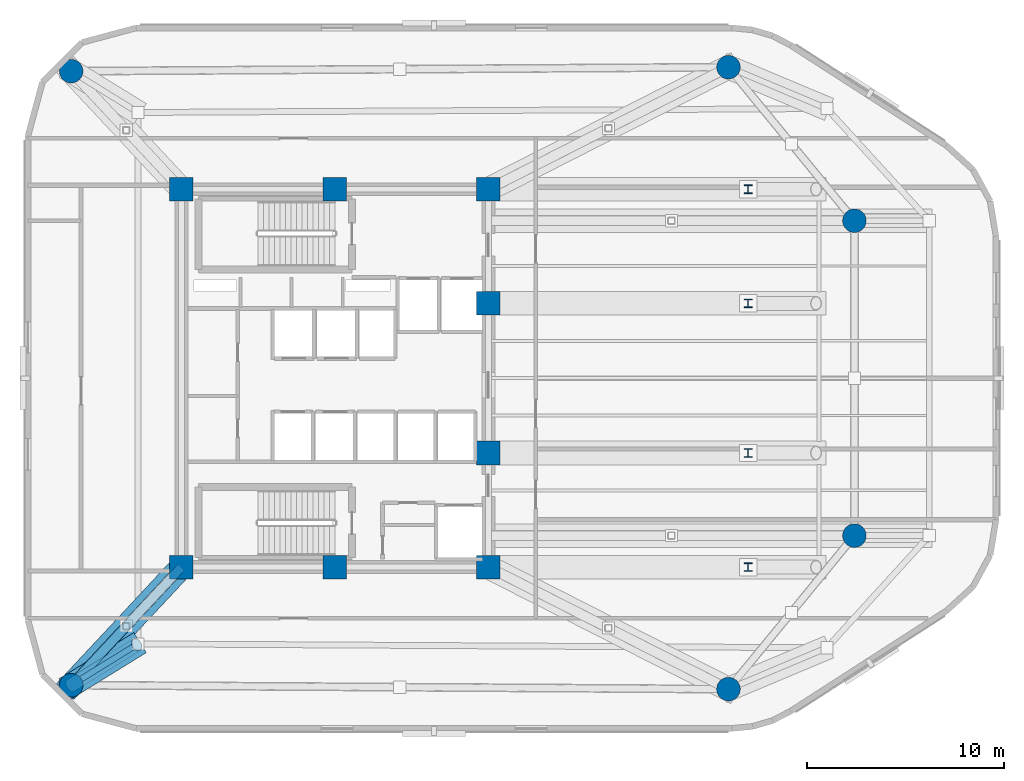
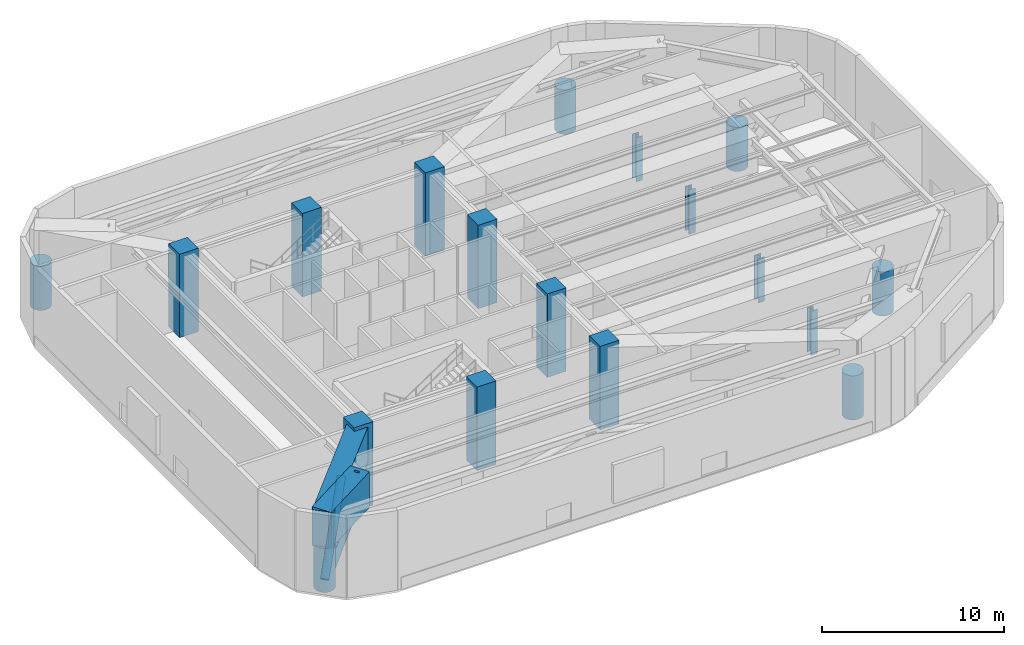
# One storey, part 1 of 9: 18 columns, 3 beams, 3 members.
"""IFC4 building model written with IfcOpenShell, lengths in metres."""

from ifc_helpers import new_model, si_unit, direction, frame, origin, origin_2d, place, context, subcontext, project, spatial, rectangle, hollow_rectangle, circle, hollow_circle, i_section, extrude, material, material_profile, profile_set, type_object, element, save


model = new_model("IFC4")

# Units and contexts
model_context = context("Model", 3, precision=1e-05, world=origin(), true_north=direction((0.0, 1.0)))
body_context = subcontext(model_context, "Body", "Model", "MODEL_VIEW")
ifc_project = project(units=[si_unit("LENGTHUNIT", "METRE"), si_unit("AREAUNIT", "SQUARE_METRE"), si_unit("VOLUMEUNIT", "CUBIC_METRE"), si_unit("PLANEANGLEUNIT", "RADIAN"), si_unit("MASSUNIT", "GRAM", prefix="KILO")], contexts=[model_context])

# Site, building, storey
site_placement = place(None, origin())
site = spatial("IfcSite", under=ifc_project, at=site_placement, CompositionType="ELEMENT")
building_placement = place(site_placement, origin())
building = spatial("IfcBuilding", under=site, at=building_placement, Name="An Khanh Terracotta Commons", CompositionType="ELEMENT")
storey_placement = place(building_placement, frame((0.0, 0.0, 190.60009765625)))
storey = spatial("IfcBuildingStorey", under=building, at=storey_placement, Name="L50", CompositionType="ELEMENT", Elevation=190.60009765625)

# Columns
ifc_material_1 = material(Name="Concrete C60/75", Category="concrete")
ifc_material_profile_1 = material_profile(ifc_material_1, circle(Radius=0.60009765625, at=origin_2d()), Name="CFST1200")
ifc_profile_set_1 = profile_set([ifc_material_profile_1], Name="Concrete C60/75")
column_type_1 = type_object("IfcColumnType", Name="COL-CFST1200", PredefinedType="COLUMN", material=ifc_profile_set_1)
for number, where, z_axis, x_axis, name in (
    (1, (16.0, 8.39990234375, 0.0), (0.0, 0.0, 1.0), (1.0, 0.0, 0.0), "L50 Perimeter CFST Mega-Column MC-01"),
    (2, (49.39990234375, 8.199951171875, 0.0), (0.0, 0.0, 1.0), (1.0, 0.0, 0.0), "L50 Perimeter CFST Mega-Column MC-02"),
    (3, (55.800048828125, 16.0, 0.0), (0.0, 0.0, 1.0), (1.0, 0.0, 0.0), "L50 Perimeter CFST Mega-Column MC-03"),
    (4, (55.800048828125, 32.0, 0.0), (0.0, 0.0, 1.0), (1.0, 0.0, 0.0), "L50 Perimeter CFST Mega-Column MC-04"),
    (5, (49.39990234375, 39.800048828125, 0.0), (0.0, 0.0, 1.0), (1.0, 0.0, 0.0), "L50 Perimeter CFST Mega-Column MC-05"),
    (6, (16.0, 39.60009765625, 0.0), (0.0, 0.0, 1.0), (1.0, 0.0, 0.0), "L50 Perimeter CFST Mega-Column MC-06"),
):
    element("IfcColumn", number, at=place(storey_placement, frame(where, z_axis=z_axis, x_axis=x_axis)), inside=storey, type_object=column_type_1, Name=name, PredefinedType="COLUMN", context=body_context, shape_type="SweptSolid", body=[
        extrude(circle(Radius=0.60009765625, at=origin_2d()), origin(), (0.0, 0.0, 1.0), 2.9599609375),
    ])
ifc_material_2 = material(Name="Steel S460ML", Category="steel")
ifc_material_profile_2 = material_profile(ifc_material_2, i_section(OverallWidth=0.406005859375, OverallDepth=0.43994140625, WebThickness=0.02392578125, FlangeThickness=0.0390625, FilletRadius=0.014892578125, at=origin_2d()), Name="HD400x314")
ifc_profile_set_2 = profile_set([ifc_material_profile_2], Name="Steel S460ML")
column_type_2 = type_object("IfcColumnType", Name="COL-HD400x314", PredefinedType="COLUMN", material=ifc_profile_set_2)
for number, where, z_axis, x_axis, name in (
    (7, (50.39990234375, 14.39990234375, 0.0), (0.0, 0.0, 1.0), (1.0, 0.0, 0.0), "L50 Interior Frame Column TC-01"),
    (8, (50.39990234375, 20.199951171875, 0.0), (0.0, 0.0, 1.0), (1.0, 0.0, 0.0), "L50 Interior Frame Column TC-02"),
    (9, (50.39990234375, 27.800048828125, 0.0), (0.0, 0.0, 1.0), (1.0, 0.0, 0.0), "L50 Interior Frame Column TC-03"),
    (10, (50.39990234375, 33.60009765625, 0.0), (0.0, 0.0, 1.0), (1.0, 0.0, 0.0), "L50 Interior Frame Column TC-04"),
):
    element("IfcColumn", number, at=place(storey_placement, frame(where, z_axis=z_axis, x_axis=x_axis)), inside=storey, type_object=column_type_2, Name=name, PredefinedType="COLUMN", context=body_context, shape_type="SweptSolid", body=[
        extrude(i_section(OverallWidth=0.406005859375, OverallDepth=0.43994140625, WebThickness=0.02392578125, FlangeThickness=0.0390625, FilletRadius=0.014892578125, at=origin_2d()), origin(), (0.0, 0.0, 1.0), 2.9599609375),
    ])
ifc_material_profile_3 = material_profile(ifc_material_1, rectangle(XDim=1.199951171875, YDim=1.199951171875, at=origin_2d()), Name="RC1200x1200")
ifc_profile_set_3 = profile_set([ifc_material_profile_3], Name="Concrete C60/75")
column_type_3 = type_object("IfcColumnType", Name="COL-RC1200x1200", PredefinedType="COLUMN", material=ifc_profile_set_3)
for number, where, z_axis, x_axis, name in (
    (11, (21.60009765625, 14.39990234375, 0.0), (0.0, 0.0, 1.0), (1.0, 0.0, 0.0), "L50 Core Boundary Column CC-01"),
    (12, (29.39990234375, 14.39990234375, 0.0), (0.0, 0.0, 1.0), (1.0, 0.0, 0.0), "L50 Core Boundary Column CC-02"),
    (13, (37.199951171875, 14.39990234375, 0.0), (0.0, 0.0, 1.0), (1.0, 0.0, 0.0), "L50 Core Boundary Column CC-03"),
    (14, (37.199951171875, 20.199951171875, 0.0), (0.0, 0.0, 1.0), (1.0, 0.0, 0.0), "L50 Core Boundary Column CC-04"),
    (15, (37.199951171875, 27.800048828125, 0.0), (0.0, 0.0, 1.0), (1.0, 0.0, 0.0), "L50 Core Boundary Column CC-05"),
    (16, (37.199951171875, 33.60009765625, 0.0), (0.0, 0.0, 1.0), (1.0, 0.0, 0.0), "L50 Core Boundary Column CC-06"),
    (17, (29.39990234375, 33.60009765625, 0.0), (0.0, 0.0, 1.0), (1.0, 0.0, 0.0), "L50 Core Boundary Column CC-07"),
    (18, (21.60009765625, 33.60009765625, 0.0), (0.0, 0.0, 1.0), (1.0, 0.0, 0.0), "L50 Core Boundary Column CC-08"),
):
    element("IfcColumn", number, at=place(storey_placement, frame(where, z_axis=z_axis, x_axis=x_axis)), inside=storey, type_object=column_type_3, Name=name, PredefinedType="COLUMN", context=body_context, shape_type="SweptSolid", body=[
        extrude(rectangle(XDim=1.199951171875, YDim=1.199951171875, at=origin_2d()), origin(), (0.0, 0.0, 1.0), 5.599853515625),
    ])

# Member
ifc_material_profile_4 = material_profile(ifc_material_2, hollow_rectangle(XDim=0.5, YDim=0.5, WallThickness=0.02490234375, InnerFilletRadius=0.02490234375, OuterFilletRadius=0.050048828125, at=origin_2d()), Name="SHS500x500x25")
ifc_profile_set_4 = profile_set([ifc_material_profile_4], Name="Steel S460ML")
member_type_1 = type_object("IfcMemberType", Name="BELT-CHORD-SHS500", PredefinedType="CHORD", material=ifc_profile_set_4)
member_1_placement = place(storey_placement, frame((21.60009765625, 14.39990234375, 0.449951171875), z_axis=(-0.682324609438, -0.731049333052, 0.0), x_axis=(0.731049333052, -0.682324609438, 0.0)))
element("IfcMember", 19, at=member_1_placement, inside=storey, type_object=member_type_1, Name="L50 Outrigger Bottom Chord 1", PredefinedType="CHORD", context=body_context, shape_type="SweptSolid", body=[
    extrude(hollow_rectangle(XDim=0.5, YDim=0.5, WallThickness=0.02490234375, InnerFilletRadius=0.02490234375, OuterFilletRadius=0.050048828125, at=origin_2d()), origin(), (0.0, 0.0, 1.0), 8.207275390625),
])

# Beams
ifc_material_3 = material(Name="Steel S355J2", Category="steel")
ifc_material_profile_5 = material_profile(ifc_material_3, i_section(OverallWidth=0.300048828125, OverallDepth=0.60009765625, WebThickness=0.015380859375, FlangeThickness=0.030029296875, FilletRadius=0.027099609375, at=origin_2d()), Name="HEB600")
ifc_profile_set_5 = profile_set([ifc_material_profile_5], Name="Steel S355J2")
beam_type_1 = type_object("IfcBeamType", Name="BM-HEB600", PredefinedType="BEAM", material=ifc_profile_set_5)
beam_1_placement = place(storey_placement, frame((16.0, 8.39990234375, 0.0), z_axis=(0.515300904723, 0.318298031195, 0.795708075194), x_axis=(-0.525521495028, 0.850780323153, 0.0)))
element("IfcBeam", 20, at=beam_1_placement, inside=storey, type_object=beam_type_1, Name="L50 Outrigger Lower Column Tie Beam 1", PredefinedType="BEAM", context=body_context, shape_type="SweptSolid", body=[
    extrude(i_section(OverallWidth=0.300048828125, OverallDepth=0.60009765625, WebThickness=0.015380859375, FlangeThickness=0.030029296875, FilletRadius=0.027099609375, at=origin_2d()), origin(), (0.0, 0.0, 1.0), 6.597900390625),
])
ifc_material_profile_6 = material_profile(ifc_material_1, rectangle(XDim=1.199951171875, YDim=2.39990234375, at=origin_2d()), Name="RCB1200x2400")
ifc_profile_set_6 = profile_set([ifc_material_profile_6], Name="Concrete C60/75")
beam_type_2 = type_object("IfcBeamType", Name="BM-RCB1200x2400", PredefinedType="BEAM", material=ifc_profile_set_6)
beam_2_placement = place(storey_placement, frame((21.60009765625, 14.39990234375, 4.159912109375), z_axis=(-0.682321264704, -0.731052454843, 0.0), x_axis=(0.731052454843, -0.682321264704, 0.0)))
element("IfcBeam", 21, at=beam_2_placement, inside=storey, type_object=beam_type_2, Name="L50 Outrigger Core-to-Mega Transfer Girder 1", PredefinedType="BEAM", context=body_context, shape_type="SweptSolid", body=[
    extrude(rectangle(XDim=1.199951171875, YDim=2.39990234375, at=origin_2d()), origin(), (0.0, 0.0, 1.0), 8.6572265625),
])
beam_3_placement = place(storey_placement, frame((15.701904296875, 8.216064453125, 4.159912109375), z_axis=(0.850814529037, 0.525466114207, 0.0), x_axis=(-0.525466114207, 0.850814529037, 0.0)))
element("IfcBeam", 22, at=beam_3_placement, inside=storey, type_object=beam_type_2, Name="L50 Mega-Column Step-Out Transfer Girder 1", PredefinedType="BEAM", context=body_context, shape_type="SweptSolid", body=[
    extrude(rectangle(XDim=1.199951171875, YDim=2.39990234375, at=origin_2d()), origin(), (0.0, 0.0, 1.0), 4.46630859375),
])

# Members
ifc_material_profile_7 = material_profile(ifc_material_2, hollow_circle(Radius=0.25390625, WallThickness=0.02490234375, at=origin_2d()), Name="CHS508x25")
ifc_profile_set_7 = profile_set([ifc_material_profile_7], Name="Steel S460ML")
member_type_2 = type_object("IfcMemberType", Name="OUTRIGGER-DIAG-CHS508", PredefinedType="BRACE", material=ifc_profile_set_7)
member_2_placement = place(storey_placement, frame((18.800048828125, 11.39990234375, 4.60986328125), z_axis=(-0.479182712866, -0.513401096495, -0.711901146092), x_axis=(0.731049333052, -0.682324609438, 0.0)))
element("IfcMember", 23, at=member_2_placement, inside=storey, type_object=member_type_2, Name="L50 Outrigger Tie Diagonal 1B", PredefinedType="BRACE", context=body_context, shape_type="SweptSolid", body=[
    extrude(hollow_circle(Radius=0.25390625, WallThickness=0.02490234375, at=origin_2d()), origin(), (0.0, 0.0, 1.0), 5.843505859375),
])
ifc_material_profile_8 = material_profile(ifc_material_2, hollow_circle(Radius=0.35546875, WallThickness=0.031982421875, at=origin_2d()), Name="CHS711x32")
ifc_profile_set_8 = profile_set([ifc_material_profile_8], Name="Steel S460ML")
member_type_3 = type_object("IfcMemberType", Name="OUTRIGGER-RAKE-CHS711", PredefinedType="STRUT", material=ifc_profile_set_8)
member_3_placement = place(storey_placement, frame((16.0, 8.39990234375, 0.449951171875), z_axis=(0.617656968065, 0.381509982473, 0.687713605416), x_axis=(-0.525508806665, 0.850788160541, 0.0)))
element("IfcMember", 24, at=member_3_placement, inside=storey, type_object=member_type_3, Name="L50 Zone-Step Raking Outrigger Strut 1", PredefinedType="STRUT", context=body_context, shape_type="SweptSolid", body=[
    extrude(hollow_circle(Radius=0.35546875, WallThickness=0.031982421875, at=origin_2d()), origin(), (0.0, 0.0, 1.0), 5.39453125),
])

save(model, "model.ifc")
